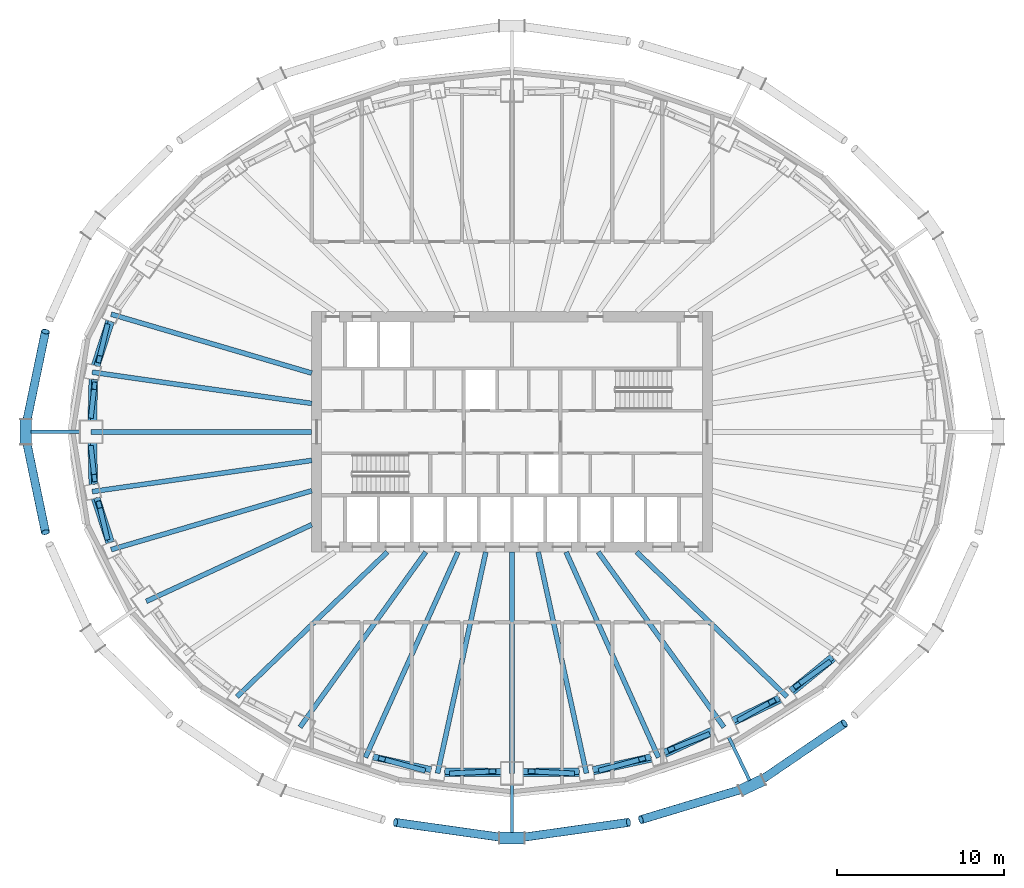
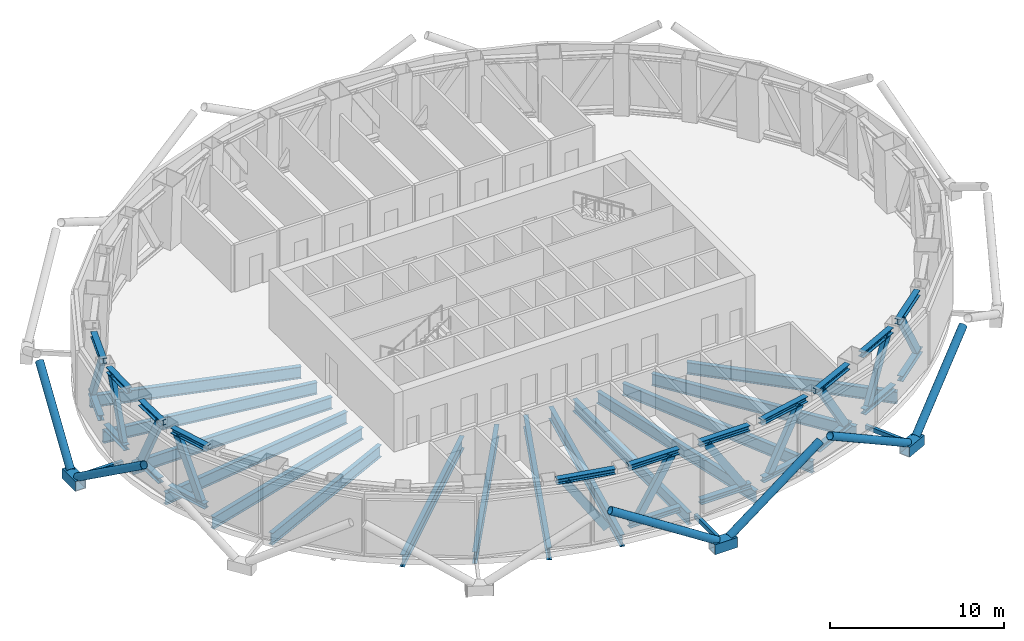
# One storey, part 2 of 18: 36 beams, 23 members.
"""IFC4 building model written with IfcOpenShell, lengths in metres."""

from ifc_helpers import new_model, si_unit, direction, frame, origin, origin_2d, place, context, subcontext, project, spatial, hollow_rectangle, hollow_circle, i_section, extrude, material, material_profile, profile_set, type_object, element, save


model = new_model("IFC4")

# Units and contexts
model_context = context("Model", 3, precision=1e-05, world=origin(), true_north=direction((0.0, 1.0)))
body_context = subcontext(model_context, "Body", "Model", "MODEL_VIEW")
ifc_project = project(units=[si_unit("LENGTHUNIT", "METRE"), si_unit("AREAUNIT", "SQUARE_METRE"), si_unit("VOLUMEUNIT", "CUBIC_METRE"), si_unit("PLANEANGLEUNIT", "RADIAN"), si_unit("MASSUNIT", "GRAM", prefix="KILO")], contexts=[model_context])

# Site, building, storey
site_placement = place(None, origin())
site = spatial("IfcSite", under=ifc_project, at=site_placement, CompositionType="ELEMENT")
building_placement = place(site_placement, origin())
building = spatial("IfcBuilding", under=site, at=building_placement, Name="Siaravel Broadcast Tower", CompositionType="ELEMENT")
storey_placement = place(building_placement, frame((0.0, 0.0, 92.60009765625)))
storey = spatial("IfcBuildingStorey", under=building, at=storey_placement, Name="L21", CompositionType="ELEMENT", Elevation=92.60009765625)

# Beams
ifc_material_1 = material(Name="Steel S355", Category="steel")
ifc_material_profile_1 = material_profile(ifc_material_1, i_section(OverallWidth=0.291748046875, OverallDepth=0.8349609375, WebThickness=0.013916015625, FlangeThickness=0.018798828125, FilletRadius=0.017822265625, at=origin_2d()))
ifc_profile_set_1 = profile_set([ifc_material_profile_1], Name="Steel S355")
beam_type_1 = type_object("IfcBeamType", Name="BM-UB 838x292x176", PredefinedType="BEAM", material=ifc_profile_set_1)
beam_1_placement = place(storey_placement, frame((-24.017822265625, 7.0537109375, -0.817626953125), z_axis=(0.959475922, -0.281790623, 0.0), x_axis=(0.281790623, 0.959475922, 0.0)))
element("IfcBeam", 1, at=beam_1_placement, inside=storey, type_object=beam_type_1, Name="Radial beam RB17", PredefinedType="BEAM", context=body_context, shape_type="SweptSolid", body=[
    extrude(i_section(OverallWidth=0.291748046875, OverallDepth=0.8349609375, WebThickness=0.013916015625, FlangeThickness=0.018798828125, FilletRadius=0.017822265625, at=origin_2d()), origin(), (0.0, 0.0, 1.0), 12.525390625),
])
beam_2_placement = place(storey_placement, frame((-25.155029296875, 3.577880859375, -0.817626953125), z_axis=(0.990035666, -0.140816832, 0.0), x_axis=(0.140816832, 0.990035666, 0.0)))
element("IfcBeam", 2, at=beam_2_placement, inside=storey, type_object=beam_type_1, Name="Radial beam RB18", PredefinedType="BEAM", context=body_context, shape_type="SweptSolid", body=[
    extrude(i_section(OverallWidth=0.291748046875, OverallDepth=0.8349609375, WebThickness=0.013916015625, FlangeThickness=0.018798828125, FilletRadius=0.017822265625, at=origin_2d()), origin(), (0.0, 0.0, 1.0), 13.287353515625),
])
beam_3_placement = place(storey_placement, frame((-25.2373046875, 0.0, -0.817626953125), z_axis=(1.0, 0.0, 0.0), x_axis=(0.0, 1.0, 0.0)))
element("IfcBeam", 3, at=beam_3_placement, inside=storey, type_object=beam_type_1, Name="Radial beam RB19", PredefinedType="BEAM", context=body_context, shape_type="SweptSolid", body=[
    extrude(i_section(OverallWidth=0.291748046875, OverallDepth=0.8349609375, WebThickness=0.013916015625, FlangeThickness=0.018798828125, FilletRadius=0.017822265625, at=origin_2d()), origin(), (0.0, 0.0, 1.0), 13.2373046875),
])
beam_4_placement = place(storey_placement, frame((-25.155029296875, -3.577880859375, -0.817626953125), z_axis=(0.990035666, 0.140816832, 0.0), x_axis=(-0.140816832, 0.990035666, 0.0)))
element("IfcBeam", 4, at=beam_4_placement, inside=storey, type_object=beam_type_1, Name="Radial beam RB20", PredefinedType="BEAM", context=body_context, shape_type="SweptSolid", body=[
    extrude(i_section(OverallWidth=0.291748046875, OverallDepth=0.8349609375, WebThickness=0.013916015625, FlangeThickness=0.018798828125, FilletRadius=0.017822265625, at=origin_2d()), origin(), (0.0, 0.0, 1.0), 13.287353515625),
])
beam_5_placement = place(storey_placement, frame((-24.017822265625, -7.0537109375, -0.817626953125), z_axis=(0.959475922, 0.281790623, 0.0), x_axis=(-0.281790623, 0.959475922, 0.0)))
element("IfcBeam", 5, at=beam_5_placement, inside=storey, type_object=beam_type_1, Name="Radial beam RB21", PredefinedType="BEAM", context=body_context, shape_type="SweptSolid", body=[
    extrude(i_section(OverallWidth=0.291748046875, OverallDepth=0.8349609375, WebThickness=0.013916015625, FlangeThickness=0.018798828125, FilletRadius=0.017822265625, at=origin_2d()), origin(), (0.0, 0.0, 1.0), 12.525390625),
])
beam_6_placement = place(storey_placement, frame((-21.90966796875, -10.15283203125, -0.817626953125), z_axis=(0.907319134, 0.420442611, 0.0), x_axis=(-0.420442611, 0.907319134, 0.0)))
element("IfcBeam", 6, at=beam_6_placement, inside=storey, type_object=beam_type_1, Name="Radial beam RB22", PredefinedType="BEAM", context=body_context, shape_type="SweptSolid", body=[
    extrude(i_section(OverallWidth=0.291748046875, OverallDepth=0.8349609375, WebThickness=0.013916015625, FlangeThickness=0.018798828125, FilletRadius=0.017822265625, at=origin_2d()), origin(), (0.0, 0.0, 1.0), 10.921875),
])
beam_7_placement = place(storey_placement, frame((-16.476318359375, -15.86669921875, -0.817626953125), z_axis=(0.720307557, 0.69365483, 0.0), x_axis=(-0.69365483, 0.720307557, 0.0)))
element("IfcBeam", 7, at=beam_7_placement, inside=storey, type_object=beam_type_1, Name="Radial beam RB24", PredefinedType="BEAM", context=body_context, shape_type="SweptSolid", body=[
    extrude(i_section(OverallWidth=0.291748046875, OverallDepth=0.8349609375, WebThickness=0.013916015625, FlangeThickness=0.018798828125, FilletRadius=0.017822265625, at=origin_2d()), origin(), (0.0, 0.0, 1.0), 12.494384765625),
])
beam_8_placement = place(storey_placement, frame((-12.698486328125, -17.688720703125, -0.817626953125), z_axis=(0.58317543, 0.812346243, 0.0), x_axis=(-0.812346243, 0.58317543, 0.0)))
element("IfcBeam", 8, at=beam_8_placement, inside=storey, type_object=beam_type_1, Name="Radial beam RB25", PredefinedType="BEAM", context=body_context, shape_type="SweptSolid", body=[
    extrude(i_section(OverallWidth=0.291748046875, OverallDepth=0.8349609375, WebThickness=0.013916015625, FlangeThickness=0.018798828125, FilletRadius=0.017822265625, at=origin_2d()), origin(), (0.0, 0.0, 1.0), 12.91162109375),
])
beam_9_placement = place(storey_placement, frame((-8.779296875, -19.505615234375, -0.817626953125), z_axis=(0.410427866, 0.911893068, 0.0), x_axis=(-0.911893068, 0.410427866, 0.0)))
element("IfcBeam", 9, at=beam_9_placement, inside=storey, type_object=beam_type_1, Name="Radial beam RB26", PredefinedType="BEAM", context=body_context, shape_type="SweptSolid", body=[
    extrude(i_section(OverallWidth=0.291748046875, OverallDepth=0.8349609375, WebThickness=0.013916015625, FlangeThickness=0.018798828125, FilletRadius=0.017822265625, at=origin_2d()), origin(), (0.0, 0.0, 1.0), 13.49462890625),
])
beam_10_placement = place(storey_placement, frame((-4.458984375, -20.45361328125, -0.817626953125), z_axis=(0.213004955, 0.977051119, 0.0), x_axis=(-0.977051119, 0.213004955, 0.0)))
element("IfcBeam", 10, at=beam_10_placement, inside=storey, type_object=beam_type_1, Name="Radial beam RB27", PredefinedType="BEAM", context=body_context, shape_type="SweptSolid", body=[
    extrude(i_section(OverallWidth=0.291748046875, OverallDepth=0.8349609375, WebThickness=0.013916015625, FlangeThickness=0.018798828125, FilletRadius=0.017822265625, at=origin_2d()), origin(), (0.0, 0.0, 1.0), 13.56494140625),
])
beam_11_placement = place(storey_placement, frame((0.0, -20.47314453125, -0.817626953125), z_axis=(0.0, 1.0, 0.0), x_axis=(-1.0, 0.0, 0.0)))
element("IfcBeam", 11, at=beam_11_placement, inside=storey, type_object=beam_type_1, Name="Radial beam RB28", PredefinedType="BEAM", context=body_context, shape_type="SweptSolid", body=[
    extrude(i_section(OverallWidth=0.291748046875, OverallDepth=0.8349609375, WebThickness=0.013916015625, FlangeThickness=0.018798828125, FilletRadius=0.017822265625, at=origin_2d()), origin(), (0.0, 0.0, 1.0), 13.273193359375),
])
beam_12_placement = place(storey_placement, frame((4.458984375, -20.45361328125, -0.817626953125), z_axis=(-0.213004955, 0.977051119, 0.0), x_axis=(-0.977051119, -0.213004955, 0.0)))
element("IfcBeam", 12, at=beam_12_placement, inside=storey, type_object=beam_type_1, Name="Radial beam RB29", PredefinedType="BEAM", context=body_context, shape_type="SweptSolid", body=[
    extrude(i_section(OverallWidth=0.291748046875, OverallDepth=0.8349609375, WebThickness=0.013916015625, FlangeThickness=0.018798828125, FilletRadius=0.017822265625, at=origin_2d()), origin(), (0.0, 0.0, 1.0), 13.56494140625),
])
beam_13_placement = place(storey_placement, frame((8.779296875, -19.505615234375, -0.817626953125), z_axis=(-0.410427866, 0.911893068, 0.0), x_axis=(-0.911893068, -0.410427866, 0.0)))
element("IfcBeam", 13, at=beam_13_placement, inside=storey, type_object=beam_type_1, Name="Radial beam RB30", PredefinedType="BEAM", context=body_context, shape_type="SweptSolid", body=[
    extrude(i_section(OverallWidth=0.291748046875, OverallDepth=0.8349609375, WebThickness=0.013916015625, FlangeThickness=0.018798828125, FilletRadius=0.017822265625, at=origin_2d()), origin(), (0.0, 0.0, 1.0), 13.49462890625),
])
beam_14_placement = place(storey_placement, frame((12.698486328125, -17.688720703125, -0.817626953125), z_axis=(-0.58317543, 0.812346243, 0.0), x_axis=(-0.812346243, -0.58317543, 0.0)))
element("IfcBeam", 14, at=beam_14_placement, inside=storey, type_object=beam_type_1, Name="Radial beam RB31", PredefinedType="BEAM", context=body_context, shape_type="SweptSolid", body=[
    extrude(i_section(OverallWidth=0.291748046875, OverallDepth=0.8349609375, WebThickness=0.013916015625, FlangeThickness=0.018798828125, FilletRadius=0.017822265625, at=origin_2d()), origin(), (0.0, 0.0, 1.0), 12.91162109375),
])
beam_15_placement = place(storey_placement, frame((16.476318359375, -15.86669921875, -0.817626953125), z_axis=(-0.720307557, 0.69365483, 0.0), x_axis=(-0.69365483, -0.720307557, 0.0)))
element("IfcBeam", 15, at=beam_15_placement, inside=storey, type_object=beam_type_1, Name="Radial beam RB32", PredefinedType="BEAM", context=body_context, shape_type="SweptSolid", body=[
    extrude(i_section(OverallWidth=0.291748046875, OverallDepth=0.8349609375, WebThickness=0.013916015625, FlangeThickness=0.018798828125, FilletRadius=0.017822265625, at=origin_2d()), origin(), (0.0, 0.0, 1.0), 12.494384765625),
])
ifc_material_2 = material(Name="Steel S460", Category="steel")
ifc_material_profile_2 = material_profile(ifc_material_2, i_section(OverallWidth=0.374755859375, OverallDepth=0.37451171875, WebThickness=0.0166015625, FlangeThickness=0.027099609375, FilletRadius=0.01513671875, at=origin_2d()))
ifc_profile_set_2 = profile_set([ifc_material_profile_2], Name="Steel S460")
beam_type_2 = type_object("IfcBeamType", Name="Belt truss chord UC 356x368x202", PredefinedType="BEAM", material=ifc_profile_set_2)
beam_16_placement = place(storey_placement, frame((-24.1484375, 6.654296875, 0.187255859375), z_axis=(-0.310970738, -0.950419486, 0.0), x_axis=(0.950419486, -0.310970738, 0.0)))
element("IfcBeam", 16, at=beam_16_placement, inside=storey, type_object=beam_type_2, Name="Belt truss 1 bottom chord 17", PredefinedType="BEAM", context=body_context, shape_type="SweptSolid", body=[
    extrude(i_section(OverallWidth=0.374755859375, OverallDepth=0.37451171875, WebThickness=0.0166015625, FlangeThickness=0.027099609375, FilletRadius=0.01513671875, at=origin_2d()), origin(), (0.0, 0.0, 1.0), 2.81689453125),
])
beam_17_placement = place(storey_placement, frame((-24.002197265625, 6.61083984375, 4.16259765625), z_axis=(-0.310928582, -0.950433279, 0.0), x_axis=(0.950433279, -0.310928582, 0.0)))
element("IfcBeam", 17, at=beam_17_placement, inside=storey, type_object=beam_type_2, Name="Belt truss 1 top chord 17", PredefinedType="BEAM", context=body_context, shape_type="SweptSolid", body=[
    extrude(i_section(OverallWidth=0.374755859375, OverallDepth=0.37451171875, WebThickness=0.0166015625, FlangeThickness=0.027099609375, FilletRadius=0.01513671875, at=origin_2d()), origin(), (0.0, 0.0, 1.0), 2.79443359375),
])
beam_18_placement = place(storey_placement, frame((-25.164794921875, 3.157958984375, 0.187255859375), z_axis=(-0.022955386, -0.99973649, 0.0), x_axis=(0.99973649, -0.022955386, 0.0)))
element("IfcBeam", 18, at=beam_18_placement, inside=storey, type_object=beam_type_2, Name="Belt truss 1 bottom chord 18", PredefinedType="BEAM", context=body_context, shape_type="SweptSolid", body=[
    extrude(i_section(OverallWidth=0.374755859375, OverallDepth=0.37451171875, WebThickness=0.0166015625, FlangeThickness=0.027099609375, FilletRadius=0.01513671875, at=origin_2d()), origin(), (0.0, 0.0, 1.0), 2.48876953125),
])
beam_19_placement = place(storey_placement, frame((-25.010986328125, 3.1357421875, 4.16259765625), z_axis=(-0.022469573, -0.999747527, 0.0), x_axis=(0.999747527, -0.022469573, 0.0)))
element("IfcBeam", 19, at=beam_19_placement, inside=storey, type_object=beam_type_2, Name="Belt truss 1 top chord 18", PredefinedType="BEAM", context=body_context, shape_type="SweptSolid", body=[
    extrude(i_section(OverallWidth=0.374755859375, OverallDepth=0.37451171875, WebThickness=0.0166015625, FlangeThickness=0.027099609375, FilletRadius=0.01513671875, at=origin_2d()), origin(), (0.0, 0.0, 1.0), 2.466552734375),
])
beam_20_placement = place(storey_placement, frame((-25.221923828125, -0.669921875, 0.187255859375), z_axis=(0.022955386, -0.99973649, 0.0), x_axis=(0.99973649, 0.022955386, 0.0)))
element("IfcBeam", 20, at=beam_20_placement, inside=storey, type_object=beam_type_2, Name="Belt truss 1 bottom chord 19", PredefinedType="BEAM", context=body_context, shape_type="SweptSolid", body=[
    extrude(i_section(OverallWidth=0.374755859375, OverallDepth=0.37451171875, WebThickness=0.0166015625, FlangeThickness=0.027099609375, FilletRadius=0.01513671875, at=origin_2d()), origin(), (0.0, 0.0, 1.0), 2.48876953125),
])
beam_21_placement = place(storey_placement, frame((-25.06640625, -0.669921875, 4.16259765625), z_axis=(0.022469573, -0.999747527, 0.0), x_axis=(0.999747527, 0.022469573, 0.0)))
element("IfcBeam", 21, at=beam_21_placement, inside=storey, type_object=beam_type_2, Name="Belt truss 1 top chord 19", PredefinedType="BEAM", context=body_context, shape_type="SweptSolid", body=[
    extrude(i_section(OverallWidth=0.374755859375, OverallDepth=0.37451171875, WebThickness=0.0166015625, FlangeThickness=0.027099609375, FilletRadius=0.01513671875, at=origin_2d()), origin(), (0.0, 0.0, 1.0), 2.466552734375),
])
beam_22_placement = place(storey_placement, frame((-25.0244140625, -3.97705078125, 0.187255859375), z_axis=(0.310970738, -0.950419486, 0.0), x_axis=(0.950419486, 0.310970738, 0.0)))
element("IfcBeam", 22, at=beam_22_placement, inside=storey, type_object=beam_type_2, Name="Belt truss 1 bottom chord 20", PredefinedType="BEAM", context=body_context, shape_type="SweptSolid", body=[
    extrude(i_section(OverallWidth=0.374755859375, OverallDepth=0.37451171875, WebThickness=0.0166015625, FlangeThickness=0.027099609375, FilletRadius=0.01513671875, at=origin_2d()), origin(), (0.0, 0.0, 1.0), 2.81689453125),
])
beam_23_placement = place(storey_placement, frame((-24.87109375, -3.954833984375, 4.16259765625), z_axis=(0.310928582, -0.950433279, 0.0), x_axis=(0.950433279, 0.310928582, 0.0)))
element("IfcBeam", 23, at=beam_23_placement, inside=storey, type_object=beam_type_2, Name="Belt truss 1 top chord 20", PredefinedType="BEAM", context=body_context, shape_type="SweptSolid", body=[
    extrude(i_section(OverallWidth=0.374755859375, OverallDepth=0.37451171875, WebThickness=0.0166015625, FlangeThickness=0.027099609375, FilletRadius=0.01513671875, at=origin_2d()), origin(), (0.0, 0.0, 1.0), 2.79443359375),
])
beam_24_placement = place(storey_placement, frame((-8.31591796875, -19.4755859375, 4.16259765625), z_axis=(0.976747499, -0.214392918, 0.0), x_axis=(0.214392918, 0.976747499, 0.0)))
element("IfcBeam", 24, at=beam_24_placement, inside=storey, type_object=beam_type_2, Name="Belt truss 1 top chord 26", PredefinedType="BEAM", context=body_context, shape_type="SweptSolid", body=[
    extrude(i_section(OverallWidth=0.374755859375, OverallDepth=0.37451171875, WebThickness=0.0166015625, FlangeThickness=0.027099609375, FilletRadius=0.01513671875, at=origin_2d()), origin(), (0.0, 0.0, 1.0), 3.556396484375),
])
beam_25_placement = place(storey_placement, frame((-4.0390625, -20.45556640625, 0.187255859375), z_axis=(0.999990548, -0.004347785, 0.0), x_axis=(0.004347785, 0.999990548, 0.0)))
element("IfcBeam", 25, at=beam_25_placement, inside=storey, type_object=beam_type_2, Name="Belt truss 1 bottom chord 27", PredefinedType="BEAM", context=body_context, shape_type="SweptSolid", body=[
    extrude(i_section(OverallWidth=0.374755859375, OverallDepth=0.37451171875, WebThickness=0.0166015625, FlangeThickness=0.027099609375, FilletRadius=0.01513671875, at=origin_2d()), origin(), (0.0, 0.0, 1.0), 3.369140625),
])
beam_26_placement = place(storey_placement, frame((-4.011962890625, -20.329833984375, 4.16259765625), z_axis=(0.999992219, -0.003944742, 0.0), x_axis=(0.003944742, 0.999992219, 0.0)))
element("IfcBeam", 26, at=beam_26_placement, inside=storey, type_object=beam_type_2, Name="Belt truss 1 top chord 27", PredefinedType="BEAM", context=body_context, shape_type="SweptSolid", body=[
    extrude(i_section(OverallWidth=0.374755859375, OverallDepth=0.37451171875, WebThickness=0.0166015625, FlangeThickness=0.027099609375, FilletRadius=0.01513671875, at=origin_2d()), origin(), (0.0, 0.0, 1.0), 3.342041015625),
])
beam_27_placement = place(storey_placement, frame((0.669921875, -20.47021484375, 0.187255859375), z_axis=(0.999990548, 0.004347785, 0.0), x_axis=(-0.004347785, 0.999990548, 0.0)))
element("IfcBeam", 27, at=beam_27_placement, inside=storey, type_object=beam_type_2, Name="Belt truss 1 bottom chord 28", PredefinedType="BEAM", context=body_context, shape_type="SweptSolid", body=[
    extrude(i_section(OverallWidth=0.374755859375, OverallDepth=0.37451171875, WebThickness=0.0166015625, FlangeThickness=0.027099609375, FilletRadius=0.01513671875, at=origin_2d()), origin(), (0.0, 0.0, 1.0), 3.369140625),
])
beam_28_placement = place(storey_placement, frame((0.669921875, -20.343017578125, 4.16259765625), z_axis=(0.999992219, 0.003944742, 0.0), x_axis=(-0.003944742, 0.999992219, 0.0)))
element("IfcBeam", 28, at=beam_28_placement, inside=storey, type_object=beam_type_2, Name="Belt truss 1 top chord 28", PredefinedType="BEAM", context=body_context, shape_type="SweptSolid", body=[
    extrude(i_section(OverallWidth=0.374755859375, OverallDepth=0.37451171875, WebThickness=0.0166015625, FlangeThickness=0.027099609375, FilletRadius=0.01513671875, at=origin_2d()), origin(), (0.0, 0.0, 1.0), 3.342041015625),
])
beam_29_placement = place(storey_placement, frame((4.869384765625, -20.36376953125, 0.187255859375), z_axis=(0.976754435, 0.214361315, 0.0), x_axis=(-0.214361315, 0.976754435, 0.0)))
element("IfcBeam", 29, at=beam_29_placement, inside=storey, type_object=beam_type_2, Name="Belt truss 1 bottom chord 29", PredefinedType="BEAM", context=body_context, shape_type="SweptSolid", body=[
    extrude(i_section(OverallWidth=0.374755859375, OverallDepth=0.37451171875, WebThickness=0.0166015625, FlangeThickness=0.027099609375, FilletRadius=0.01513671875, at=origin_2d()), origin(), (0.0, 0.0, 1.0), 3.5830078125),
])
beam_30_placement = place(storey_placement, frame((4.84228515625, -20.238037109375, 4.16259765625), z_axis=(0.976747499, 0.214392918, 0.0), x_axis=(-0.214392918, 0.976747499, 0.0)))
element("IfcBeam", 30, at=beam_30_placement, inside=storey, type_object=beam_type_2, Name="Belt truss 1 top chord 29", PredefinedType="BEAM", context=body_context, shape_type="SweptSolid", body=[
    extrude(i_section(OverallWidth=0.374755859375, OverallDepth=0.37451171875, WebThickness=0.0166015625, FlangeThickness=0.027099609375, FilletRadius=0.01513671875, at=origin_2d()), origin(), (0.0, 0.0, 1.0), 3.556396484375),
])
beam_31_placement = place(storey_placement, frame((9.160400390625, -19.328857421875, 0.187255859375), z_axis=(0.907250109, 0.420591535, 0.0), x_axis=(-0.420591535, 0.907250109, 0.0)))
element("IfcBeam", 31, at=beam_31_placement, inside=storey, type_object=beam_type_2, Name="Belt truss 1 bottom chord 30", PredefinedType="BEAM", context=body_context, shape_type="SweptSolid", body=[
    extrude(i_section(OverallWidth=0.374755859375, OverallDepth=0.37451171875, WebThickness=0.0166015625, FlangeThickness=0.027099609375, FilletRadius=0.01513671875, at=origin_2d()), origin(), (0.0, 0.0, 1.0), 3.229736328125),
])
beam_32_placement = place(storey_placement, frame((9.107177734375, -19.208984375, 4.16259765625), z_axis=(0.907022483, 0.421082196, 0.0), x_axis=(-0.421082196, 0.907022483, 0.0)))
element("IfcBeam", 32, at=beam_32_placement, inside=storey, type_object=beam_type_2, Name="Belt truss 1 top chord 30", PredefinedType="BEAM", context=body_context, shape_type="SweptSolid", body=[
    extrude(i_section(OverallWidth=0.374755859375, OverallDepth=0.37451171875, WebThickness=0.0166015625, FlangeThickness=0.027099609375, FilletRadius=0.01513671875, at=origin_2d()), origin(), (0.0, 0.0, 1.0), 3.203369140625),
])
beam_33_placement = place(storey_placement, frame((13.302001953125, -17.397705078125, 0.187255859375), z_axis=(0.900722523, 0.434394909, 0.0), x_axis=(-0.434394909, 0.900722523, 0.0)))
element("IfcBeam", 33, at=beam_33_placement, inside=storey, type_object=beam_type_2, Name="Belt truss 1 bottom chord 31", PredefinedType="BEAM", context=body_context, shape_type="SweptSolid", body=[
    extrude(i_section(OverallWidth=0.374755859375, OverallDepth=0.37451171875, WebThickness=0.0166015625, FlangeThickness=0.027099609375, FilletRadius=0.01513671875, at=origin_2d()), origin(), (0.0, 0.0, 1.0), 3.10400390625),
])
beam_34_placement = place(storey_placement, frame((13.22412109375, -17.287353515625, 4.16259765625), z_axis=(0.900928179, 0.433968221, 0.0), x_axis=(-0.433968221, 0.900928179, 0.0)))
element("IfcBeam", 34, at=beam_34_placement, inside=storey, type_object=beam_type_2, Name="Belt truss 1 top chord 31", PredefinedType="BEAM", context=body_context, shape_type="SweptSolid", body=[
    extrude(i_section(OverallWidth=0.374755859375, OverallDepth=0.37451171875, WebThickness=0.0166015625, FlangeThickness=0.027099609375, FilletRadius=0.01513671875, at=origin_2d()), origin(), (0.0, 0.0, 1.0), 3.078369140625),
])
beam_35_placement = place(storey_placement, frame((16.801025390625, -15.6005859375, 0.187255859375), z_axis=(0.77362609, 0.633642385, 0.0), x_axis=(-0.633642385, 0.77362609, 0.0)))
element("IfcBeam", 35, at=beam_35_placement, inside=storey, type_object=beam_type_2, Name="Belt truss 1 bottom chord 32", PredefinedType="BEAM", context=body_context, shape_type="SweptSolid", body=[
    extrude(i_section(OverallWidth=0.374755859375, OverallDepth=0.37451171875, WebThickness=0.0166015625, FlangeThickness=0.027099609375, FilletRadius=0.01513671875, at=origin_2d()), origin(), (0.0, 0.0, 1.0), 3.219482421875),
])
beam_36_placement = place(storey_placement, frame((16.700927734375, -15.5029296875, 4.16259765625), z_axis=(0.77363035, 0.633637185, 0.0), x_axis=(-0.633637185, 0.77363035, 0.0)))
element("IfcBeam", 36, at=beam_36_placement, inside=storey, type_object=beam_type_2, Name="Belt truss 1 top chord 32", PredefinedType="BEAM", context=body_context, shape_type="SweptSolid", body=[
    extrude(i_section(OverallWidth=0.374755859375, OverallDepth=0.37451171875, WebThickness=0.0166015625, FlangeThickness=0.027099609375, FilletRadius=0.01513671875, at=origin_2d()), origin(), (0.0, 0.0, 1.0), 3.19482421875),
])

# Members
ifc_material_profile_3 = material_profile(ifc_material_2, hollow_rectangle(XDim=0.300048828125, YDim=0.5, WallThickness=0.01611328125, at=origin_2d()))
ifc_profile_set_3 = profile_set([ifc_material_profile_3], Name="Steel S460")
member_type_1 = type_object("IfcMemberType", Name="Belt truss web RHS 500x300x16", PredefinedType="BRACE", material=ifc_profile_set_3)
member_1_placement = place(storey_placement, frame((-24.27978515625, 6.252685546875, 0.344482421875), z_axis=(-0.111069783, -0.457692221, 0.882145869), x_axis=(0.971794612, -0.235828821, 0.0)))
element("IfcMember", 37, at=member_1_placement, inside=storey, type_object=member_type_1, Name="Belt truss 1 web 17", PredefinedType="BRACE", context=body_context, shape_type="SweptSolid", body=[
    extrude(hollow_rectangle(XDim=0.300048828125, YDim=0.5, WallThickness=0.01611328125, at=origin_2d()), origin(), (0.0, 0.0, 1.0), 4.14990234375),
])
for number, where, z_axis, x_axis, name in (
    (38, (-25.21337890625, 1.04296875, 0.344482421875), (0.047915629, 0.425334083, 0.903767122), (-0.993714292, 0.111945992, 0.0), "Belt truss 1 web 18"),
    (39, (-25.21337890625, -1.04296875, 0.344482421875), (0.047915629, -0.425334083, 0.903767122), (0.993714292, 0.111945992, 0.0), "Belt truss 1 web 19"),
):
    element("IfcMember", number, at=place(storey_placement, frame(where, z_axis=z_axis, x_axis=x_axis)), inside=storey, type_object=member_type_1, Name=name, PredefinedType="BRACE", context=body_context, shape_type="SweptSolid", body=[
        extrude(hollow_rectangle(XDim=0.300048828125, YDim=0.5, WallThickness=0.01611328125, at=origin_2d()), origin(), (0.0, 0.0, 1.0), 4.05078125),
    ])
member_2_placement = place(storey_placement, frame((-24.27978515625, -6.252685546875, 0.344482421875), z_axis=(-0.111069783, 0.457692221, 0.882145869), x_axis=(-0.971794612, -0.235828821, 0.0)))
element("IfcMember", 40, at=member_2_placement, inside=storey, type_object=member_type_1, Name="Belt truss 1 web 20", PredefinedType="BRACE", context=body_context, shape_type="SweptSolid", body=[
    extrude(hollow_rectangle(XDim=0.300048828125, YDim=0.5, WallThickness=0.01611328125, at=origin_2d()), origin(), (0.0, 0.0, 1.0), 4.14990234375),
])
member_3_placement = place(storey_placement, frame((-5.394287109375, -20.24853515625, 0.344482421875), z_axis=(-0.542266022, 0.148732987, 0.826937761), x_axis=(-0.264511321, -0.96438258, 0.0)))
element("IfcMember", 41, at=member_3_placement, inside=storey, type_object=member_type_1, Name="Belt truss 1 web 26", PredefinedType="BRACE", context=body_context, shape_type="SweptSolid", body=[
    extrude(hollow_rectangle(XDim=0.300048828125, YDim=0.5, WallThickness=0.01611328125, at=origin_2d()), origin(), (0.0, 0.0, 1.0), 4.427001953125),
])
for number, where, z_axis, x_axis, name in (
    (42, (-3.53369140625, -20.457763671875, 0.344482421875), (0.542003952, 0.026775309, 0.839949283), (-0.04934041, 0.99878202, 0.0), "Belt truss 1 web 27"),
    (43, (3.53369140625, -20.457763671875, 0.344482421875), (-0.542003952, 0.026775309, 0.839949283), (-0.04934041, -0.99878202, 0.0), "Belt truss 1 web 28"),
):
    element("IfcMember", number, at=place(storey_placement, frame(where, z_axis=z_axis, x_axis=x_axis)), inside=storey, type_object=member_type_1, Name=name, PredefinedType="BRACE", context=body_context, shape_type="SweptSolid", body=[
        extrude(hollow_rectangle(XDim=0.300048828125, YDim=0.5, WallThickness=0.01611328125, at=origin_2d()), origin(), (0.0, 0.0, 1.0), 4.3583984375),
    ])
member_4_placement = place(storey_placement, frame((5.394287109375, -20.24853515625, 0.344482421875), z_axis=(0.542266022, 0.148732987, 0.826937761), x_axis=(-0.264511321, 0.96438258, 0.0)))
element("IfcMember", 44, at=member_4_placement, inside=storey, type_object=member_type_1, Name="Belt truss 1 web 29", PredefinedType="BRACE", context=body_context, shape_type="SweptSolid", body=[
    extrude(hollow_rectangle(XDim=0.300048828125, YDim=0.5, WallThickness=0.01611328125, at=origin_2d()), origin(), (0.0, 0.0, 1.0), 4.427001953125),
])
member_5_placement = place(storey_placement, frame((11.65087890625, -18.17431640625, 0.344482421875), z_axis=(-0.489575637, -0.193301291, 0.850264845), x_axis=(0.367245022, -0.930124236, 0.0)))
element("IfcMember", 45, at=member_5_placement, inside=storey, type_object=member_type_1, Name="Belt truss 1 web 30", PredefinedType="BRACE", context=body_context, shape_type="SweptSolid", body=[
    extrude(hollow_rectangle(XDim=0.300048828125, YDim=0.5, WallThickness=0.01611328125, at=origin_2d()), origin(), (0.0, 0.0, 1.0), 4.3056640625),
])
member_6_placement = place(storey_placement, frame((13.72119140625, -17.1953125, 0.344482421875), z_axis=(0.439070907, 0.24632915, 0.864024704), x_axis=(-0.489282824, 0.872125174, 0.0)))
element("IfcMember", 46, at=member_6_placement, inside=storey, type_object=member_type_1, Name="Belt truss 1 web 31", PredefinedType="BRACE", context=body_context, shape_type="SweptSolid", body=[
    extrude(hollow_rectangle(XDim=0.300048828125, YDim=0.5, WallThickness=0.01611328125, at=origin_2d()), origin(), (0.0, 0.0, 1.0), 4.237060546875),
])
member_7_placement = place(storey_placement, frame((18.918212890625, -13.86669921875, 0.344482421875), z_axis=(-0.428281243, -0.309078279, 0.849144154), x_axis=(0.585196916, -0.810891219, 0.0)))
element("IfcMember", 47, at=member_7_placement, inside=storey, type_object=member_type_1, Name="Belt truss 1 web 32", PredefinedType="BRACE", context=body_context, shape_type="SweptSolid", body=[
    extrude(hollow_rectangle(XDim=0.300048828125, YDim=0.5, WallThickness=0.01611328125, at=origin_2d()), origin(), (0.0, 0.0, 1.0), 4.311279296875),
])
ifc_material_profile_4 = material_profile(ifc_material_2, hollow_circle(Radius=0.25390625, WallThickness=0.02001953125, at=origin_2d()))
ifc_profile_set_4 = profile_set([ifc_material_profile_4], Name="Steel S460")
member_type_2 = type_object("IfcMemberType", Name="Diagrid diagonal CHS 508x20", PredefinedType="BRACE", material=ifc_profile_set_4)
for number, where, z_axis, x_axis, name in (
    (48, (-29.12939453125, 0.37939453125, 0.119873046875), (0.169601474, 0.813065593, 0.556919815), (-0.97892923, 0.204199811, 0.0), "Diagrid diagonal R09 station 36C"),
    (49, (-29.12939453125, -0.37939453125, 0.119873046875), (0.169601474, -0.813065593, 0.556919815), (0.97892923, 0.204199811, 0.0), "Diagrid diagonal R09 station 36A"),
):
    element("IfcMember", number, at=place(storey_placement, frame(where, z_axis=z_axis, x_axis=x_axis)), inside=storey, type_object=member_type_2, Name=name, PredefinedType="BRACE", context=body_context, shape_type="SweptSolid", body=[
        extrude(hollow_circle(Radius=0.25390625, WallThickness=0.02001953125, at=origin_2d()), origin(), (0.0, 0.0, 1.0), 6.93115234375),
    ])
for number, where, z_axis, x_axis, name in (
    (50, (-0.37939453125, -24.33056640625, 0.119873046875), (-0.856972193, 0.121121102, 0.500927478), (-0.13994524, -0.990159245, 0.0), "Diagrid diagonal R09 station 54C"),
    (51, (0.37939453125, -24.33056640625, 0.119873046875), (0.856972193, 0.121121102, 0.500927478), (-0.13994524, 0.990159245, 0.0), "Diagrid diagonal R09 station 54A"),
):
    element("IfcMember", number, at=place(storey_placement, frame(where, z_axis=z_axis, x_axis=x_axis)), inside=storey, type_object=member_type_2, Name=name, PredefinedType="BRACE", context=body_context, shape_type="SweptSolid", body=[
        extrude(hollow_circle(Radius=0.25390625, WallThickness=0.02001953125, at=origin_2d()), origin(), (0.0, 0.0, 1.0), 7.705810546875),
    ])
member_8_placement = place(storey_placement, frame((14.033203125, -21.331787109375, 0.119873046875), z_axis=(-0.826096536, -0.249162045, 0.505453053), x_axis=(0.288764975, -0.957400015, 0.0)))
element("IfcMember", 52, at=member_8_placement, inside=storey, type_object=member_type_2, Name="Diagrid diagonal R09 station 60C", PredefinedType="BRACE", context=body_context, shape_type="SweptSolid", body=[
    extrude(hollow_circle(Radius=0.25390625, WallThickness=0.02001953125, at=origin_2d()), origin(), (0.0, 0.0, 1.0), 7.636962890625),
])
member_9_placement = place(storey_placement, frame((14.71923828125, -21.007568359375, 0.119873046875), z_axis=(0.704461757, 0.480175097, 0.522652379), x_axis=(-0.563224928, 0.826303625, 0.0)))
element("IfcMember", 53, at=member_9_placement, inside=storey, type_object=member_type_2, Name="Diagrid diagonal R09 station 60A", PredefinedType="BRACE", context=body_context, shape_type="SweptSolid", body=[
    extrude(hollow_circle(Radius=0.25390625, WallThickness=0.02001953125, at=origin_2d()), origin(), (0.0, 0.0, 1.0), 7.385498046875),
])
ifc_material_profile_5 = material_profile(ifc_material_2, hollow_rectangle(XDim=0.699951171875, YDim=0.699951171875, WallThickness=0.0400390625, at=origin_2d()))
ifc_profile_set_5 = profile_set([ifc_material_profile_5], Name="Steel S460")
member_type_3 = type_object("IfcMemberType", Name="Diagrid node BOX 700x700x40", PredefinedType="USERDEFINED", material=ifc_profile_set_5)
for number, where, z_axis, x_axis, name in (
    (54, (-29.12939453125, 0.75341796875, -0.2001953125), (0.0, -1.0, 0.0), (1.0, 0.0, 0.0), "Diagrid node R09 station 36"),
    (55, (-0.75341796875, -24.33056640625, -0.2001953125), (1.0, 0.0, 0.0), (0.0, 1.0, 0.0), "Diagrid node R09 station 54"),
    (56, (13.695068359375, -21.49169921875, -0.2001953125), (0.904060884, 0.427403694, 0.0), (-0.427403694, 0.904060884, 0.0), "Diagrid node R09 station 60"),
):
    element("IfcMember", number, at=place(storey_placement, frame(where, z_axis=z_axis, x_axis=x_axis)), inside=storey, type_object=member_type_3, Name=name, ObjectType="DIAGRID NODE", PredefinedType="USERDEFINED", context=body_context, shape_type="SweptSolid", body=[
        extrude(hollow_rectangle(XDim=0.699951171875, YDim=0.699951171875, WallThickness=0.0400390625, at=origin_2d()), origin(), (0.0, 0.0, 1.0), 1.5068359375),
    ])
ifc_material_profile_6 = material_profile(ifc_material_2, hollow_rectangle(XDim=0.199951171875, YDim=0.300048828125, WallThickness=0.012451171875, at=origin_2d()))
ifc_profile_set_6 = profile_set([ifc_material_profile_6], Name="Steel S460")
member_type_4 = type_object("IfcMemberType", Name="Diagrid node arm RHS 300x200x12.5", PredefinedType="STRUT", material=ifc_profile_set_6)
member_10_placement = place(storey_placement, frame((-25.9072265625, 0.0, -0.2001953125), z_axis=(-1.0, 0.0, 0.0), x_axis=(0.0, -1.0, 0.0)))
element("IfcMember", 57, at=member_10_placement, inside=storey, type_object=member_type_4, Name="Node arm R09 station 36", PredefinedType="STRUT", context=body_context, shape_type="SweptSolid", body=[
    extrude(hollow_rectangle(XDim=0.199951171875, YDim=0.300048828125, WallThickness=0.012451171875, at=origin_2d()), origin(), (0.0, 0.0, 1.0), 2.902099609375),
])
member_11_placement = place(storey_placement, frame((0.0, -21.143310546875, -0.2001953125), z_axis=(0.0, -1.0, 0.0), x_axis=(1.0, 0.0, 0.0)))
element("IfcMember", 58, at=member_11_placement, inside=storey, type_object=member_type_4, Name="Node arm R09 station 54", PredefinedType="STRUT", context=body_context, shape_type="SweptSolid", body=[
    extrude(hollow_rectangle(XDim=0.199951171875, YDim=0.300048828125, WallThickness=0.012451171875, at=origin_2d()), origin(), (0.0, 0.0, 1.0), 2.8671875),
])
member_12_placement = place(storey_placement, frame((12.9892578125, -18.292236328125, -0.2001953125), z_axis=(0.434221649, -0.900806061, 0.0), x_axis=(0.900806061, 0.434221649, 0.0)))
element("IfcMember", 59, at=member_12_placement, inside=storey, type_object=member_type_4, Name="Node arm R09 station 60", PredefinedType="STRUT", context=body_context, shape_type="SweptSolid", body=[
    extrude(hollow_rectangle(XDim=0.199951171875, YDim=0.300048828125, WallThickness=0.012451171875, at=origin_2d()), origin(), (0.0, 0.0, 1.0), 2.874267578125),
])

save(model, "model.ifc")
